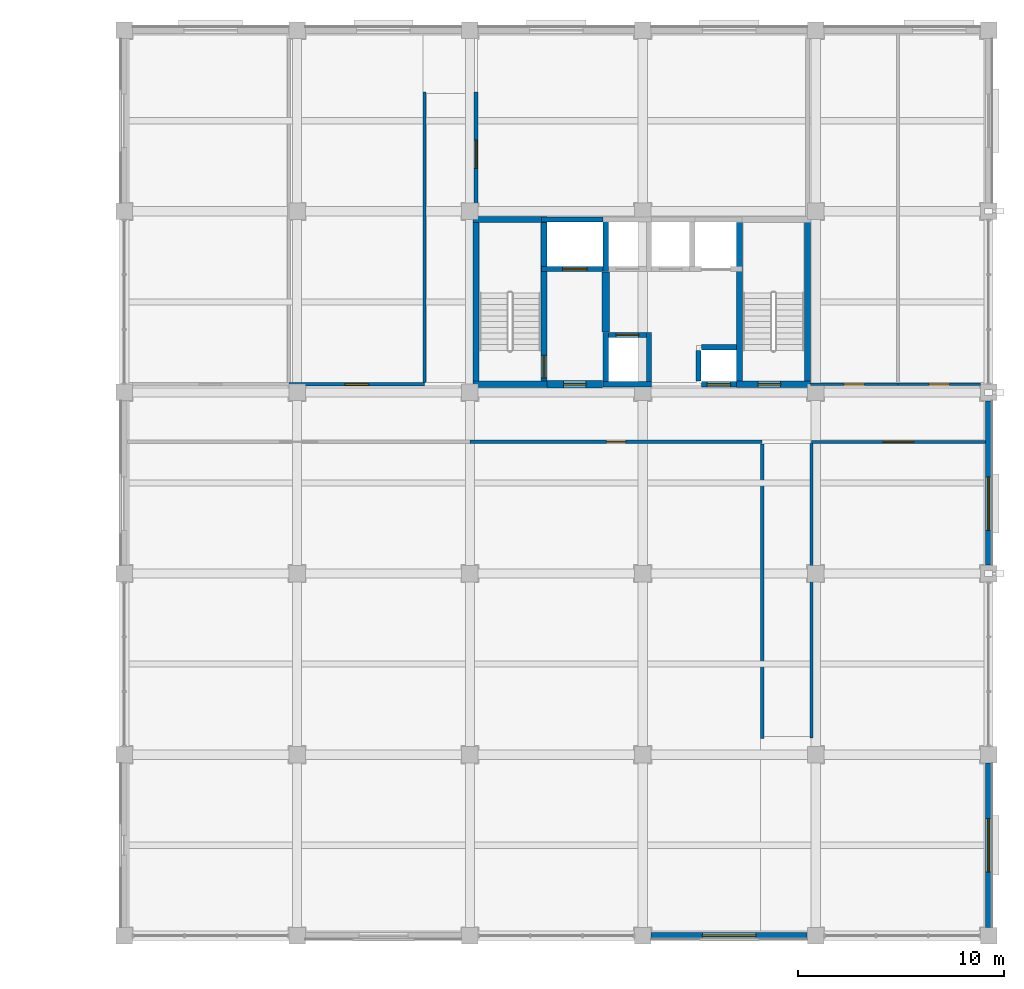
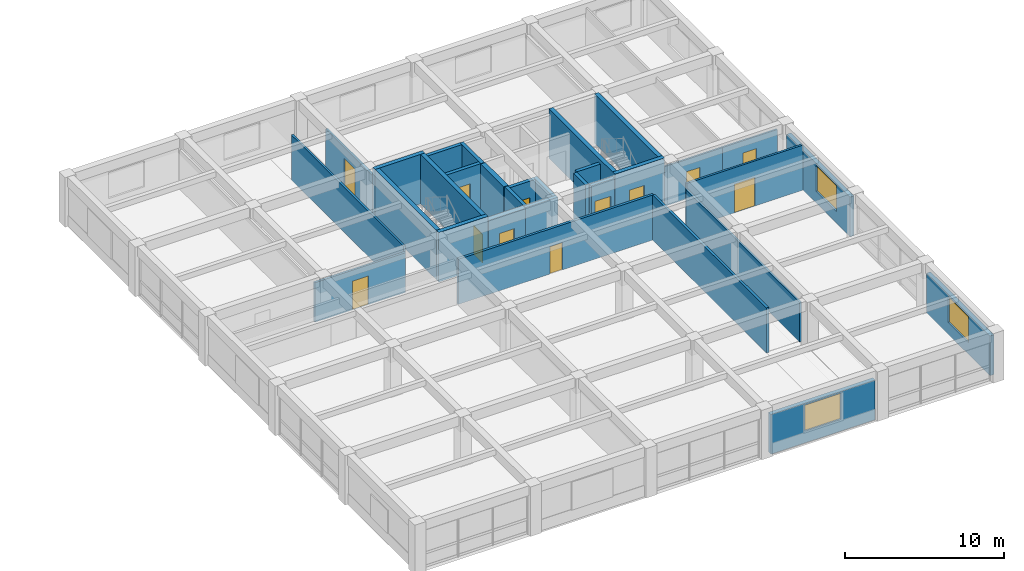
# One storey, part 11 of 16: 31 walls, 12 doors, 3 windows, 15 openings.
"""IFC4 building model written with IfcOpenShell, lengths in metres."""

from ifc_helpers import new_model, si_unit, direction, frame, frame_2d, origin, place, context, subcontext, project, spatial, rectangle, extrude, material, layer, layer_set, type_object, element, fill, save


model = new_model("IFC4")

# Units and contexts
model_context = context("Model", 3, precision=1e-05, world=origin(), true_north=direction((0.0, 1.0)))
body_context = subcontext(model_context, "Body", "Model", "MODEL_VIEW")
ifc_project = project(units=[si_unit("LENGTHUNIT", "METRE"), si_unit("AREAUNIT", "SQUARE_METRE"), si_unit("VOLUMEUNIT", "CUBIC_METRE"), si_unit("PLANEANGLEUNIT", "RADIAN"), si_unit("MASSUNIT", "GRAM", prefix="KILO")], contexts=[model_context])

# Site, building, storey
site_placement = place(None, origin())
site = spatial("IfcSite", under=ifc_project, at=site_placement, CompositionType="ELEMENT")
building_placement = place(site_placement, origin())
building = spatial("IfcBuilding", under=site, at=building_placement, Name="Kemercrest Conservatory and Botanical Centre", CompositionType="ELEMENT")
storey_placement = place(building_placement, frame((0.0, 0.0, 17.199951171875)))
storey = spatial("IfcBuildingStorey", under=building, at=storey_placement, Name="L04", CompositionType="ELEMENT", Elevation=17.199951171875)

# Wall
ifc_material_1 = material(Name="Concrete C50/60", Category="concrete")
ifc_layer_1 = layer(ifc_material_1, 0.35009765625)
ifc_layer_set_1 = layer_set([ifc_layer_1], Name="Concrete C50/60")
wall_type_1 = type_object("IfcWallType", Name="CW-CORE", PredefinedType="SHEAR", material=ifc_layer_set_1)
wall_1_placement = place(storey_placement, frame((157.39990234375, 107.75, 0.0), z_axis=(0.0, 0.0, 1.0), x_axis=(0.0, 1.0, 0.0)))
element("IfcWall", 1, at=wall_1_placement, inside=storey, type_object=wall_type_1, Name="Firefighting lift lobby 2-hour separation shear wall", PredefinedType="SHEAR", context=body_context, shape_type="SweptSolid", body=[
    extrude(rectangle(XDim=2.89990234375, YDim=0.35009765625, at=frame_2d((1.449951171875, 0.0))), origin(), (0.0, 0.0, 1.0), 3.47998046875),
])

# Wall, opening, door
wall_2_placement = place(storey_placement, frame((154.550048828125, 105.199951171875, 0.0), z_axis=(0.0, 0.0, 1.0), x_axis=(1.0, 0.0, 0.0)))
wall_2 = element("IfcWall", 2, at=wall_2_placement, inside=storey, type_object=wall_type_1, Name="Firefighting lift lobby south shear wall", PredefinedType="SHEAR", context=body_context, shape_type="SweptSolid", body=[
    extrude(rectangle(XDim=2.699951171875, YDim=0.35009765625, at=frame_2d((1.35009765625, 0.0))), origin(), (0.0, 0.0, 1.0), 3.47998046875),
])
opening_1_placement = place(wall_2_placement, frame((0.800048828125, 0.0, 0.0)))
opening_1 = element("IfcOpeningElement", 3, at=opening_1_placement, cuts=wall_2, Name="Opening D079", PredefinedType="OPENING", context=body_context, shape_type="SweptSolid", body=[
    extrude(rectangle(XDim=1.10009765625, YDim=2.199951171875, at=frame_2d((0.550048828125, 1.10009765625))), frame((0.0, 0.18505859375, 0.0), z_axis=(0.0, -1.0, 0.0), x_axis=(1.0, 0.0, 0.0)), (0.0, 0.0, 1.0), 0.3701171875),
])
ifc_material_2 = material(Name="Powder-coated galvanized steel and fire-rated vision glass", Category="steel")
door_type_1 = type_object("IfcDoorType", Name="DT-FD90", OperationType="NOTDEFINED", PredefinedType="DOOR", material=ifc_material_2)
door_1_placement = place(opening_1_placement, origin())
door_1 = element("IfcDoor", 4, at=door_1_placement, inside=storey, type_object=door_type_1, Name="Firefighting lift lobby corridor fire door D079", OperationType="SINGLE_SWING_LEFT", OverallHeight=2.199951171875, OverallWidth=1.10009765625, PredefinedType="DOOR", context=body_context, shape_type="SweptSolid", body=[
    extrude(rectangle(XDim=1.10009765625, YDim=2.199951171875, at=frame_2d((0.550048828125, 1.10009765625))), frame((0.0, 0.02490234375, 0.0), z_axis=(0.0, -1.0, 0.0), x_axis=(1.0, 0.0, 0.0)), (0.0, 0.0, 1.0), 0.050048828125),
])
fill(opening_1, door_1)

# Walls
ifc_layer_2 = layer(ifc_material_1, 0.300048828125)
ifc_layer_set_2 = layer_set([ifc_layer_2], Name="Concrete C50/60")
wall_type_2 = type_object("IfcWallType", Name="CW-STAIR", PredefinedType="SHEAR", material=ifc_layer_set_2)
for number, where, z_axis, x_axis, name in (
    (5, (150.949951171875, 105.199951171875, 0.0), (0.0, 0.0, 1.0), (1.0, 0.0, 0.0), "Stair core ST-V4A shear wall S"),
    (6, (150.949951171875, 113.199951171875, 0.0), (0.0, 0.0, 1.0), (1.0, 0.0, 0.0), "Stair core ST-V4A shear wall N"),
):
    element("IfcWall", number, at=place(storey_placement, frame(where, z_axis=z_axis, x_axis=x_axis)), inside=storey, type_object=wall_type_2, Name=name, PredefinedType="SHEAR", context=body_context, shape_type="SweptSolid", body=[
        extrude(rectangle(XDim=3.60009765625, YDim=0.300048828125, at=frame_2d((1.800048828125, 0.0))), origin(), (0.0, 0.0, 1.0), 3.800048828125),
    ])
wall_3_placement = place(storey_placement, frame((151.10009765625, 105.050048828125, 0.0), z_axis=(0.0, 0.0, 1.0), x_axis=(0.0, 1.0, 0.0)))
element("IfcWall", 7, at=wall_3_placement, inside=storey, type_object=wall_type_2, Name="Stair core ST-V4A shear wall W", PredefinedType="SHEAR", context=body_context, shape_type="SweptSolid", body=[
    extrude(rectangle(XDim=8.300048828125, YDim=0.300048828125, at=frame_2d((4.14990234375, 0.0))), origin(), (0.0, 0.0, 1.0), 3.800048828125),
])

# Wall, opening, door
wall_4_placement = place(storey_placement, frame((154.39990234375, 105.050048828125, 0.0), z_axis=(0.0, 0.0, 1.0), x_axis=(0.0, 1.0, 0.0)))
wall_4 = element("IfcWall", 8, at=wall_4_placement, inside=storey, type_object=wall_type_2, Name="Stair core ST-V4A shear wall E", PredefinedType="SHEAR", context=body_context, shape_type="SweptSolid", body=[
    extrude(rectangle(XDim=8.300048828125, YDim=0.300048828125, at=frame_2d((4.14990234375, 0.0))), origin(), (0.0, 0.0, 1.0), 3.800048828125),
])
opening_2_placement = place(wall_4_placement, frame((0.449951171875, 0.0, 0.0)))
opening_2 = element("IfcOpeningElement", 9, at=opening_2_placement, cuts=wall_4, Name="Opening D030", PredefinedType="OPENING", context=body_context, shape_type="SweptSolid", body=[
    extrude(rectangle(XDim=1.10009765625, YDim=2.199951171875, at=frame_2d((0.550048828125, 1.10009765625))), frame((0.0, 0.16015625, 0.0), z_axis=(0.0, -1.0, 0.0), x_axis=(1.0, 0.0, 0.0)), (0.0, 0.0, 1.0), 0.320068359375),
])
door_2_placement = place(opening_2_placement, frame((1.10009765625, 0.0, 0.0), z_axis=(0.0, 0.0, 1.0), x_axis=(-1.0, 0.0, 0.0)))
door_2 = element("IfcDoor", 10, at=door_2_placement, inside=storey, type_object=door_type_1, Name="Exit stair ST-V4A fire door D030", OperationType="SINGLE_SWING_RIGHT", OverallHeight=2.199951171875, OverallWidth=1.10009765625, PredefinedType="DOOR", context=body_context, shape_type="SweptSolid", body=[
    extrude(rectangle(XDim=1.10009765625, YDim=2.199951171875, at=frame_2d((0.550048828125, 1.10009765625))), frame((0.0, 0.02490234375, 0.0), z_axis=(0.0, -1.0, 0.0), x_axis=(1.0, 0.0, 0.0)), (0.0, 0.0, 1.0), 0.050048828125),
])
fill(opening_2, door_2)

wall_5_placement = place(storey_placement, frame((163.75, 105.199951171875, 0.0), z_axis=(0.0, 0.0, 1.0), x_axis=(1.0, 0.0, 0.0)))
wall_5 = element("IfcWall", 11, at=wall_5_placement, inside=storey, type_object=wall_type_2, Name="Stair core ST-V4B shear wall S", PredefinedType="SHEAR", context=body_context, shape_type="SweptSolid", body=[
    extrude(rectangle(XDim=3.60009765625, YDim=0.300048828125, at=frame_2d((1.800048828125, 0.0))), origin(), (0.0, 0.0, 1.0), 3.800048828125),
])
opening_3_placement = place(wall_5_placement, frame((1.050048828125, 0.0, 0.0)))
opening_3 = element("IfcOpeningElement", 12, at=opening_3_placement, cuts=wall_5, Name="Opening D049", PredefinedType="OPENING", context=body_context, shape_type="SweptSolid", body=[
    extrude(rectangle(XDim=1.10009765625, YDim=2.199951171875, at=frame_2d((0.550048828125, 1.10009765625))), frame((0.0, 0.16015625, 0.0), z_axis=(0.0, -1.0, 0.0), x_axis=(1.0, 0.0, 0.0)), (0.0, 0.0, 1.0), 0.320068359375),
])
door_3_placement = place(opening_3_placement, origin())
door_3 = element("IfcDoor", 13, at=door_3_placement, inside=storey, type_object=door_type_1, Name="Exit stair ST-V4B fire door D049", OperationType="SINGLE_SWING_LEFT", OverallHeight=2.199951171875, OverallWidth=1.10009765625, PredefinedType="DOOR", context=body_context, shape_type="SweptSolid", body=[
    extrude(rectangle(XDim=1.10009765625, YDim=2.199951171875, at=frame_2d((0.550048828125, 1.10009765625))), frame((0.0, 0.02490234375, 0.0), z_axis=(0.0, -1.0, 0.0), x_axis=(1.0, 0.0, 0.0)), (0.0, 0.0, 1.0), 0.050048828125),
])
fill(opening_3, door_3)

# Walls
for number, where, z_axis, x_axis, name in (
    (14, (163.89990234375, 105.050048828125, 0.0), (0.0, 0.0, 1.0), (0.0, 1.0, 0.0), "Stair core ST-V4B shear wall W"),
    (15, (167.199951171875, 105.050048828125, 0.0), (0.0, 0.0, 1.0), (0.0, 1.0, 0.0), "Stair core ST-V4B shear wall E"),
):
    element("IfcWall", number, at=place(storey_placement, frame(where, z_axis=z_axis, x_axis=x_axis)), inside=storey, type_object=wall_type_2, Name=name, PredefinedType="SHEAR", context=body_context, shape_type="SweptSolid", body=[
        extrude(rectangle(XDim=8.300048828125, YDim=0.300048828125, at=frame_2d((4.14990234375, 0.0))), origin(), (0.0, 0.0, 1.0), 3.800048828125),
    ])

# Wall, opening, window
ifc_material_3 = material(Name="Precast concrete C40/50", Category="concrete")
ifc_layer_3 = layer(ifc_material_3, 0.300048828125)
ifc_layer_set_3 = layer_set([ifc_layer_3], Name="Precast concrete C40/50")
wall_type_3 = type_object("IfcWallType", Name="W-EXT300", PredefinedType="SOLIDWALL", material=ifc_layer_set_3)
wall_6_placement = place(storey_placement, frame((159.610107421875, 78.39990234375, 0.0), z_axis=(0.0, 0.0, 1.0), x_axis=(1.0, 0.0, 0.0)))
wall_6 = element("IfcWall", 16, at=wall_6_placement, inside=storey, type_object=wall_type_3, Name="Exterior almasik wall W-EXT300 (WAL:L04:EXT-225)", PredefinedType="SOLIDWALL", context=body_context, shape_type="SweptSolid", body=[
    extrude(rectangle(XDim=7.579833984375, YDim=0.300048828125, at=frame_2d((3.7900390625, 0.0))), origin(), (0.0, 0.0, 1.0), 3.050048828125),
])
opening_4_placement = place(wall_6_placement, frame((2.489990234375, 0.0, 0.89990234375)))
opening_4 = element("IfcOpeningElement", 17, at=opening_4_placement, cuts=wall_6, Name="Opening WT-10", PredefinedType="OPENING", context=body_context, shape_type="SweptSolid", body=[
    extrude(rectangle(XDim=2.60009765625, YDim=2.0, at=frame_2d((1.300048828125, 1.0))), frame((0.0, 0.16015625, 0.0), z_axis=(0.0, -1.0, 0.0), x_axis=(1.0, 0.0, 0.0)), (0.0, 0.0, 1.0), 0.320068359375),
])
ifc_material_4 = material(Name="Thermally broken bronze-anodized aluminium and triple glazing", Category="aluminium")
window_type = type_object("IfcWindowType", Name="WT-10", PartitioningType="SINGLE_PANEL", PredefinedType="WINDOW", material=ifc_material_4)
window_1_placement = place(opening_4_placement, origin())
window_1 = element("IfcWindow", 18, at=window_1_placement, inside=storey, type_object=window_type, Name="Exterior window WT-10 (WIN:L04:EXT-225)", OverallHeight=2.0, OverallWidth=2.60009765625, PartitioningType="SINGLE_PANEL", PredefinedType="WINDOW", context=body_context, shape_type="SweptSolid", body=[
    extrude(rectangle(XDim=2.60009765625, YDim=2.0, at=frame_2d((1.300048828125, 1.0))), frame((0.0, 0.030029296875, 0.0), z_axis=(0.0, -1.0, 0.0), x_axis=(1.0, 0.0, 0.0)), (0.0, 0.0, 1.0), 0.06005859375),
])
fill(opening_4, window_1)

wall_7_placement = place(storey_placement, frame((176.0, 78.81005859375, 0.0), z_axis=(0.0, 0.0, 1.0), x_axis=(0.0, 1.0, 0.0)))
wall_7 = element("IfcWall", 19, at=wall_7_placement, inside=storey, type_object=wall_type_3, Name="Exterior almasik wall W-EXT300 (WAL:L04:EXT-226)", PredefinedType="SOLIDWALL", context=body_context, shape_type="SweptSolid", body=[
    extrude(rectangle(XDim=7.97998046875, YDim=0.300048828125, at=frame_2d((3.989990234375, 0.0))), origin(), (0.0, 0.0, 1.0), 3.050048828125),
])
opening_5_placement = place(wall_7_placement, frame((2.68994140625, 0.0, 0.89990234375)))
opening_5 = element("IfcOpeningElement", 20, at=opening_5_placement, cuts=wall_7, Name="Opening WT-10", PredefinedType="OPENING", context=body_context, shape_type="SweptSolid", body=[
    extrude(rectangle(XDim=2.60009765625, YDim=2.0, at=frame_2d((1.300048828125, 1.0))), frame((0.0, 0.16015625, 0.0), z_axis=(0.0, -1.0, 0.0), x_axis=(1.0, 0.0, 0.0)), (0.0, 0.0, 1.0), 0.320068359375),
])
window_2_placement = place(opening_5_placement, origin())
window_2 = element("IfcWindow", 21, at=window_2_placement, inside=storey, type_object=window_type, Name="Exterior window WT-10 (WIN:L04:EXT-226)", OverallHeight=2.0, OverallWidth=2.60009765625, PartitioningType="SINGLE_PANEL", PredefinedType="WINDOW", context=body_context, shape_type="SweptSolid", body=[
    extrude(rectangle(XDim=2.60009765625, YDim=2.0, at=frame_2d((1.300048828125, 1.0))), frame((0.0, 0.030029296875, 0.0), z_axis=(0.0, -1.0, 0.0), x_axis=(1.0, 0.0, 0.0)), (0.0, 0.0, 1.0), 0.06005859375),
])
fill(opening_5, window_2)

wall_8_placement = place(storey_placement, frame((176.0, 96.409912109375, 0.0), z_axis=(0.0, 0.0, 1.0), x_axis=(0.0, 1.0, 0.0)))
wall_8 = element("IfcWall", 22, at=wall_8_placement, inside=storey, type_object=wall_type_3, Name="Exterior almasik wall W-EXT300 (WAL:L04:EXT-227)", PredefinedType="SOLIDWALL", context=body_context, shape_type="SweptSolid", body=[
    extrude(rectangle(XDim=7.97998046875, YDim=0.300048828125, at=frame_2d((3.989990234375, 0.0))), origin(), (0.0, 0.0, 1.0), 3.050048828125),
])
opening_6_placement = place(wall_8_placement, frame((1.695068359375, 0.0, 0.89990234375)))
opening_6 = element("IfcOpeningElement", 23, at=opening_6_placement, cuts=wall_8, Name="Opening WT-10", PredefinedType="OPENING", context=body_context, shape_type="SweptSolid", body=[
    extrude(rectangle(XDim=2.60009765625, YDim=2.0, at=frame_2d((1.300048828125, 1.0))), frame((0.0, 0.16015625, 0.0), z_axis=(0.0, -1.0, 0.0), x_axis=(1.0, 0.0, 0.0)), (0.0, 0.0, 1.0), 0.320068359375),
])
window_3_placement = place(opening_6_placement, origin())
window_3 = element("IfcWindow", 24, at=window_3_placement, inside=storey, type_object=window_type, Name="Exterior window WT-10 (WIN:L04:EXT-227)", OverallHeight=2.0, OverallWidth=2.60009765625, PartitioningType="SINGLE_PANEL", PredefinedType="WINDOW", context=body_context, shape_type="SweptSolid", body=[
    extrude(rectangle(XDim=2.60009765625, YDim=2.0, at=frame_2d((1.300048828125, 1.0))), frame((0.0, 0.030029296875, 0.0), z_axis=(0.0, -1.0, 0.0), x_axis=(1.0, 0.0, 0.0)), (0.0, 0.0, 1.0), 0.06005859375),
])
fill(opening_6, window_3)

# Wall, opening, door
ifc_material_5 = material(Name="Moisture-resistant gypsum board partition", Category="gypsum")
ifc_layer_4 = layer(ifc_material_5, 0.125)
ifc_layer_set_4 = layer_set([ifc_layer_4], Name="Moisture-resistant gypsum board partition")
wall_type_4 = type_object("IfcWallType", Name="W-PART125", PredefinedType="PARTITIONING", material=ifc_layer_set_4)
wall_9_placement = place(storey_placement, frame((167.35498046875, 105.199951171875, 0.0), z_axis=(0.0, 0.0, 1.0), x_axis=(1.0, 0.0, 0.0)))
wall_9 = element("IfcWall", 25, at=wall_9_placement, inside=storey, type_object=wall_type_4, Name="Interior partition W-PART125 #165", PredefinedType="PARTITIONING", context=body_context, shape_type="SweptSolid", body=[
    extrude(rectangle(XDim=4.2451171875, YDim=0.125, at=frame_2d((2.12255859375, 0.0))), origin(), (0.0, 0.0, 1.0), 3.045166015625),
])
opening_7_placement = place(wall_9_placement, frame((1.632568359375, 0.0, 0.0)))
opening_7 = element("IfcOpeningElement", 26, at=opening_7_placement, cuts=wall_9, Name="Opening D202", PredefinedType="OPENING", context=body_context, shape_type="SweptSolid", body=[
    extrude(rectangle(XDim=0.97998046875, YDim=2.10009765625, at=frame_2d((0.489990234375, 1.050048828125))), frame((0.0, 0.072509765625, 0.0), z_axis=(0.0, -1.0, 0.0), x_axis=(1.0, 0.0, 0.0)), (0.0, 0.0, 1.0), 0.14501953125),
])
ifc_material_6 = material(Name="FSC solid-core white oak veneer and anodized aluminium frame", Category="aluminium")
door_type_2 = type_object("IfcDoorType", Name="DT-02", OperationType="NOTDEFINED", PredefinedType="DOOR", material=ifc_material_6)
door_4_placement = place(opening_7_placement, origin())
door_4 = element("IfcDoor", 27, at=door_4_placement, inside=storey, type_object=door_type_2, Name="Staff Washroom door D202", OperationType="SINGLE_SWING_RIGHT", OverallHeight=2.10009765625, OverallWidth=0.97998046875, PredefinedType="DOOR", context=body_context, shape_type="SweptSolid", body=[
    extrude(rectangle(XDim=0.97998046875, YDim=2.10009765625, at=frame_2d((0.489990234375, 1.050048828125))), frame((0.0, 0.02490234375, 0.0), z_axis=(0.0, -1.0, 0.0), x_axis=(1.0, 0.0, 0.0)), (0.0, 0.0, 1.0), 0.050048828125),
])
fill(opening_7, door_4)

wall_10_placement = place(storey_placement, frame((171.60009765625, 105.199951171875, 0.0), z_axis=(0.0, 0.0, 1.0), x_axis=(1.0, 0.0, 0.0)))
wall_10 = element("IfcWall", 28, at=wall_10_placement, inside=storey, type_object=wall_type_4, Name="Interior partition W-PART125 #166", PredefinedType="PARTITIONING", context=body_context, shape_type="SweptSolid", body=[
    extrude(rectangle(XDim=4.0, YDim=0.125, at=frame_2d((2.0, 0.0))), origin(), (0.0, 0.0, 1.0), 3.045166015625),
])
opening_8_placement = place(wall_10_placement, frame((1.510009765625, 0.0, 0.0)))
opening_8 = element("IfcOpeningElement", 29, at=opening_8_placement, cuts=wall_10, Name="Opening D203", PredefinedType="OPENING", context=body_context, shape_type="SweptSolid", body=[
    extrude(rectangle(XDim=0.97998046875, YDim=2.10009765625, at=frame_2d((0.489990234375, 1.050048828125))), frame((0.0, 0.072509765625, 0.0), z_axis=(0.0, -1.0, 0.0), x_axis=(1.0, 0.0, 0.0)), (0.0, 0.0, 1.0), 0.14501953125),
])
door_5_placement = place(opening_8_placement, origin())
door_5 = element("IfcDoor", 30, at=door_5_placement, inside=storey, type_object=door_type_2, Name="Accessible Washroom door D203", OperationType="SINGLE_SWING_LEFT", OverallHeight=2.10009765625, OverallWidth=0.97998046875, PredefinedType="DOOR", context=body_context, shape_type="SweptSolid", body=[
    extrude(rectangle(XDim=0.97998046875, YDim=2.10009765625, at=frame_2d((0.489990234375, 1.050048828125))), frame((0.0, 0.02490234375, 0.0), z_axis=(0.0, -1.0, 0.0), x_axis=(1.0, 0.0, 0.0)), (0.0, 0.0, 1.0), 0.050048828125),
])
fill(opening_8, door_5)

ifc_material_7 = material(Name="Steel-stud gypsum board partition", Category="steel")
ifc_layer_5 = layer(ifc_material_7, 0.14990234375)
ifc_layer_set_5 = layer_set([ifc_layer_5], Name="Steel-stud gypsum board partition")
wall_type_5 = type_object("IfcWallType", Name="W-PART150", PredefinedType="PARTITIONING", material=ifc_layer_set_5)
wall_11_placement = place(storey_placement, frame((167.39990234375, 102.39990234375, 0.0), z_axis=(0.0, 0.0, 1.0), x_axis=(1.0, 0.0, 0.0)))
wall_11 = element("IfcWall", 31, at=wall_11_placement, inside=storey, type_object=wall_type_5, Name="Interior partition W-PART150 #162", PredefinedType="PARTITIONING", context=body_context, shape_type="SweptSolid", body=[
    extrude(rectangle(XDim=8.445068359375, YDim=0.14990234375, at=frame_2d((4.22265625, 0.0))), origin(), (0.0, 0.0, 1.0), 3.465087890625),
])
opening_9_placement = place(wall_11_placement, frame((3.482421875, 0.0, 0.0)))
opening_9 = element("IfcOpeningElement", 32, at=opening_9_placement, cuts=wall_11, Name="Opening D199", PredefinedType="OPENING", context=body_context, shape_type="SweptSolid", body=[
    extrude(rectangle(XDim=1.47998046875, YDim=2.199951171875, at=frame_2d((0.739990234375, 1.10009765625))), frame((0.0, 0.0849609375, 0.0), z_axis=(0.0, -1.0, 0.0), x_axis=(1.0, 0.0, 0.0)), (0.0, 0.0, 1.0), 0.169921875),
])
door_type_3 = type_object("IfcDoorType", Name="DT-09", OperationType="DOUBLE_DOOR_SINGLE_SWING", PredefinedType="DOOR", material=ifc_material_6)
door_6_placement = place(opening_9_placement, origin())
door_6 = element("IfcDoor", 33, at=door_6_placement, inside=storey, type_object=door_type_3, Name="Botanical Seminar Room door D199", OperationType="DOUBLE_DOOR_SINGLE_SWING", OverallHeight=2.199951171875, OverallWidth=1.47998046875, PredefinedType="DOOR", context=body_context, shape_type="SweptSolid", body=[
    extrude(rectangle(XDim=1.47998046875, YDim=2.199951171875, at=frame_2d((0.739990234375, 1.10009765625))), frame((0.0, 0.02490234375, 0.0), z_axis=(0.0, -1.0, 0.0), x_axis=(1.0, 0.0, 0.0)), (0.0, 0.0, 1.0), 0.050048828125),
])
fill(opening_9, door_6)

wall_12_placement = place(storey_placement, frame((142.0, 105.199951171875, 0.0), z_axis=(0.0, 0.0, 1.0), x_axis=(1.0, 0.0, 0.0)))
wall_12 = element("IfcWall", 34, at=wall_12_placement, inside=storey, type_object=wall_type_5, Name="Interior partition W-PART150 #164", PredefinedType="PARTITIONING", context=body_context, shape_type="SweptSolid", body=[
    extrude(rectangle(XDim=6.60009765625, YDim=0.14990234375, at=frame_2d((3.300048828125, 0.0))), origin(), (0.0, 0.0, 1.0), 3.045166015625),
])
opening_10_placement = place(wall_12_placement, frame((2.719970703125, 0.0, 0.0)))
opening_10 = element("IfcOpeningElement", 35, at=opening_10_placement, cuts=wall_12, Name="Opening D201", PredefinedType="OPENING", context=body_context, shape_type="SweptSolid", body=[
    extrude(rectangle(XDim=1.159912109375, YDim=2.199951171875, at=frame_2d((0.580078125, 1.10009765625))), frame((0.0, 0.0849609375, 0.0), z_axis=(0.0, -1.0, 0.0), x_axis=(1.0, 0.0, 0.0)), (0.0, 0.0, 1.0), 0.169921875),
])
door_type_4 = type_object("IfcDoorType", Name="DT-05", OperationType="NOTDEFINED", PredefinedType="DOOR", material=ifc_material_6)
door_7_placement = place(opening_10_placement, origin())
door_7 = element("IfcDoor", 36, at=door_7_placement, inside=storey, type_object=door_type_4, Name="Dry Botany Studio door D201", OperationType="SINGLE_SWING_LEFT", OverallHeight=2.199951171875, OverallWidth=1.159912109375, PredefinedType="DOOR", context=body_context, shape_type="SweptSolid", body=[
    extrude(rectangle(XDim=1.159912109375, YDim=2.199951171875, at=frame_2d((0.580078125, 1.10009765625))), frame((0.0, 0.02490234375, 0.0), z_axis=(0.0, -1.0, 0.0), x_axis=(1.0, 0.0, 0.0)), (0.0, 0.0, 1.0), 0.050048828125),
])
fill(opening_10, door_7)

# Walls
wall_13_placement = place(storey_placement, frame((167.39990234375, 88.0, 0.0), z_axis=(0.0, 0.0, 1.0), x_axis=(0.0, 1.0, 0.0)))
element("IfcWall", 37, at=wall_13_placement, inside=storey, type_object=wall_type_5, Name="Interior partition W-PART150 #168", PredefinedType="PARTITIONING", context=body_context, shape_type="SweptSolid", body=[
    extrude(rectangle(XDim=14.320068359375, YDim=0.14990234375, at=frame_2d((7.16015625, 0.0))), origin(), (0.0, 0.0, 1.0), 3.045166015625),
])
wall_14_placement = place(storey_placement, frame((148.60009765625, 105.280029296875, 0.0), z_axis=(0.0, 0.0, 1.0), x_axis=(0.0, 1.0, 0.0)))
element("IfcWall", 38, at=wall_14_placement, inside=storey, type_object=wall_type_5, Name="Interior partition W-PART150 #169", PredefinedType="PARTITIONING", context=body_context, shape_type="SweptSolid", body=[
    extrude(rectangle(XDim=14.119873046875, YDim=0.14990234375, at=frame_2d((7.06005859375, 0.0))), origin(), (0.0, 0.0, 1.0), 3.465087890625),
])

# Wall, opening, door
ifc_material_8 = material(Name="Acoustic steel-stud gypsum board assembly", Category="steel")
ifc_layer_6 = layer(ifc_material_8, 0.179931640625)
ifc_layer_set_6 = layer_set([ifc_layer_6], Name="Acoustic steel-stud gypsum board assembly")
wall_type_6 = type_object("IfcWallType", Name="W-PART180", PredefinedType="PARTITIONING", material=ifc_layer_set_6)
wall_15_placement = place(storey_placement, frame((150.800048828125, 102.39990234375, 0.0), z_axis=(0.0, 0.0, 1.0), x_axis=(1.0, 0.0, 0.0)))
wall_15 = element("IfcWall", 39, at=wall_15_placement, inside=storey, type_object=wall_type_6, Name="Interior partition W-PART180 #161", PredefinedType="PARTITIONING", context=body_context, shape_type="SweptSolid", body=[
    extrude(rectangle(XDim=14.199951171875, YDim=0.179931640625, at=frame_2d((7.10009765625, 0.0))), origin(), (0.0, 0.0, 1.0), 3.465087890625),
])
opening_11_placement = place(wall_15_placement, frame((6.639892578125, 0.0, 0.0)))
opening_11 = element("IfcOpeningElement", 40, at=opening_11_placement, cuts=wall_15, Name="Opening D198", PredefinedType="OPENING", context=body_context, shape_type="SweptSolid", body=[
    extrude(rectangle(XDim=0.919921875, YDim=2.10009765625, at=frame_2d((0.4599609375, 1.050048828125))), frame((0.0, 0.10009765625, 0.0), z_axis=(0.0, -1.0, 0.0), x_axis=(1.0, 0.0, 0.0)), (0.0, 0.0, 1.0), 0.199951171875),
])
door_type_5 = type_object("IfcDoorType", Name="DT-01", OperationType="NOTDEFINED", PredefinedType="DOOR", material=ifc_material_6)
door_8_placement = place(opening_11_placement, origin())
door_8 = element("IfcDoor", 41, at=door_8_placement, inside=storey, type_object=door_type_5, Name="Chromatography Instrument Laboratory door D198", OperationType="SINGLE_SWING_RIGHT", OverallHeight=2.10009765625, OverallWidth=0.919921875, PredefinedType="DOOR", context=body_context, shape_type="SweptSolid", body=[
    extrude(rectangle(XDim=0.919921875, YDim=2.10009765625, at=frame_2d((0.4599609375, 1.050048828125))), frame((0.0, 0.02490234375, 0.0), z_axis=(0.0, -1.0, 0.0), x_axis=(1.0, 0.0, 0.0)), (0.0, 0.0, 1.0), 0.050048828125),
])
fill(opening_11, door_8)

# Wall
wall_16_placement = place(storey_placement, frame((165.0, 88.0, 0.0), z_axis=(0.0, 0.0, 1.0), x_axis=(0.0, 1.0, 0.0)))
element("IfcWall", 42, at=wall_16_placement, inside=storey, type_object=wall_type_6, Name="Interior partition W-PART180 #167", PredefinedType="PARTITIONING", context=body_context, shape_type="SweptSolid", body=[
    extrude(rectangle(XDim=14.304931640625, YDim=0.179931640625, at=frame_2d((7.15234375, 0.0))), origin(), (0.0, 0.0, 1.0), 3.465087890625),
])

# Wall, opening, door
wall_17_placement = place(storey_placement, frame((151.10009765625, 113.35498046875, 0.0), z_axis=(0.0, 0.0, 1.0), x_axis=(0.0, 1.0, 0.0)))
wall_17 = element("IfcWall", 43, at=wall_17_placement, inside=storey, type_object=wall_type_6, Name="Interior partition W-PART180 #170", PredefinedType="PARTITIONING", context=body_context, shape_type="SweptSolid", body=[
    extrude(rectangle(XDim=6.044921875, YDim=0.179931640625, at=frame_2d((3.0224609375, 0.0))), origin(), (0.0, 0.0, 1.0), 3.045166015625),
])
opening_12_placement = place(wall_17_placement, frame((2.33251953125, 0.0, 0.0)))
opening_12 = element("IfcOpeningElement", 44, at=opening_12_placement, cuts=wall_17, Name="Opening D204", PredefinedType="OPENING", context=body_context, shape_type="SweptSolid", body=[
    extrude(rectangle(XDim=1.3798828125, YDim=2.199951171875, at=frame_2d((0.68994140625, 1.10009765625))), frame((0.0, 0.10009765625, 0.0), z_axis=(0.0, -1.0, 0.0), x_axis=(1.0, 0.0, 0.0)), (0.0, 0.0, 1.0), 0.199951171875),
])
door_type_6 = type_object("IfcDoorType", Name="DT-08", OperationType="DOUBLE_DOOR_SINGLE_SWING", PredefinedType="DOOR", material=ifc_material_6)
door_9_placement = place(opening_12_placement, origin())
door_9 = element("IfcDoor", 45, at=door_9_placement, inside=storey, type_object=door_type_6, Name="Autoclave and Media Laboratory door D204", OperationType="DOUBLE_DOOR_SINGLE_SWING", OverallHeight=2.199951171875, OverallWidth=1.3798828125, PredefinedType="DOOR", context=body_context, shape_type="SweptSolid", body=[
    extrude(rectangle(XDim=1.3798828125, YDim=2.199951171875, at=frame_2d((0.68994140625, 1.10009765625))), frame((0.0, 0.02490234375, 0.0), z_axis=(0.0, -1.0, 0.0), x_axis=(1.0, 0.0, 0.0)), (0.0, 0.0, 1.0), 0.050048828125),
])
fill(opening_12, door_9)

ifc_material_9 = material(Name="Concrete C40/50", Category="concrete")
ifc_layer_7 = layer(ifc_material_9, 0.25)
ifc_layer_set_7 = layer_set([ifc_layer_7], Name="Concrete C40/50")
wall_type_7 = type_object("IfcWallType", Name="W-SHFT250", PredefinedType="SOLIDWALL", material=ifc_layer_set_7)
wall_18_placement = place(storey_placement, frame((154.27490234375, 110.800048828125, 0.0), z_axis=(0.0, 0.0, 1.0), x_axis=(1.0, 0.0, 0.0)))
wall_18 = element("IfcWall", 46, at=wall_18_placement, inside=storey, type_object=wall_type_7, Name="Elevator LF-FF1 shaft wall south", PredefinedType="SOLIDWALL", context=body_context, shape_type="SweptSolid", body=[
    extrude(rectangle(XDim=3.25, YDim=0.25, at=frame_2d((1.625, 0.0))), origin(), (0.0, 0.0, 1.0), 3.47998046875),
])
opening_13_placement = place(wall_18_placement, frame((1.02490234375, 0.0, 0.0)))
opening_13 = element("IfcOpeningElement", 47, at=opening_13_placement, cuts=wall_18, Name="Opening LD-006", PredefinedType="OPENING", context=body_context, shape_type="SweptSolid", body=[
    extrude(rectangle(XDim=1.199951171875, YDim=2.199951171875, at=frame_2d((0.60009765625, 1.10009765625))), frame((0.0, 0.135009765625, 0.0), z_axis=(0.0, -1.0, 0.0), x_axis=(1.0, 0.0, 0.0)), (0.0, 0.0, 1.0), 0.27001953125),
])
door_type_7 = type_object("IfcDoorType", Name="DT-LD02", OperationType="SLIDING_TO_LEFT", PredefinedType="DOOR", material=ifc_material_2)
door_10_placement = place(opening_13_placement, origin())
door_10 = element("IfcDoor", 48, at=door_10_placement, inside=storey, type_object=door_type_7, Name="Elevator LF-FF1 sliding landing door LD-006", OperationType="SLIDING_TO_LEFT", OverallHeight=2.199951171875, OverallWidth=1.199951171875, PredefinedType="DOOR", context=body_context, shape_type="SweptSolid", body=[
    extrude(rectangle(XDim=1.199951171875, YDim=2.199951171875, at=frame_2d((0.60009765625, 1.10009765625))), frame((0.0, 0.02490234375, 0.0), z_axis=(0.0, -1.0, 0.0), x_axis=(1.0, 0.0, 0.0)), (0.0, 0.0, 1.0), 0.050048828125),
])
fill(opening_13, door_10)

# Walls
wall_19_placement = place(storey_placement, frame((154.27490234375, 113.199951171875, 0.0), z_axis=(0.0, 0.0, 1.0), x_axis=(1.0, 0.0, 0.0)))
element("IfcWall", 49, at=wall_19_placement, inside=storey, type_object=wall_type_7, Name="Elevator LF-FF1 shaft wall north", PredefinedType="SOLIDWALL", context=body_context, shape_type="SweptSolid", body=[
    extrude(rectangle(XDim=3.25, YDim=0.25, at=frame_2d((1.625, 0.0))), origin(), (0.0, 0.0, 1.0), 3.47998046875),
])
wall_20_placement = place(storey_placement, frame((157.39990234375, 110.675048828125, 0.0), z_axis=(0.0, 0.0, 1.0), x_axis=(0.0, 1.0, 0.0)))
element("IfcWall", 50, at=wall_20_placement, inside=storey, type_object=wall_type_7, Name="Elevator LF-FF1 shaft wall east", PredefinedType="SOLIDWALL", context=body_context, shape_type="SweptSolid", body=[
    extrude(rectangle(XDim=2.64990234375, YDim=0.25, at=frame_2d((1.324951171875, 0.0))), origin(), (0.0, 0.0, 1.0), 3.47998046875),
])
wall_21_placement = place(storey_placement, frame((157.27490234375, 105.199951171875, 0.0), z_axis=(0.0, 0.0, 1.0), x_axis=(1.0, 0.0, 0.0)))
element("IfcWall", 51, at=wall_21_placement, inside=storey, type_object=wall_type_7, Name="Elevator LF-P3 shaft wall south", PredefinedType="SOLIDWALL", context=body_context, shape_type="SweptSolid", body=[
    extrude(rectangle(XDim=2.35009765625, YDim=0.25, at=frame_2d((1.175048828125, 0.0))), origin(), (0.0, 0.0, 1.0), 3.47998046875),
])

# Wall, opening, door
wall_22_placement = place(storey_placement, frame((157.27490234375, 107.60009765625, 0.0), z_axis=(0.0, 0.0, 1.0), x_axis=(1.0, 0.0, 0.0)))
wall_22 = element("IfcWall", 52, at=wall_22_placement, inside=storey, type_object=wall_type_7, Name="Elevator LF-P3 shaft wall north", PredefinedType="SOLIDWALL", context=body_context, shape_type="SweptSolid", body=[
    extrude(rectangle(XDim=2.35009765625, YDim=0.25, at=frame_2d((1.175048828125, 0.0))), origin(), (0.0, 0.0, 1.0), 3.47998046875),
])
opening_14_placement = place(wall_22_placement, frame((0.625, 0.0, 0.0)))
opening_14 = element("IfcOpeningElement", 53, at=opening_14_placement, cuts=wall_22, Name="Opening LD-062", PredefinedType="OPENING", context=body_context, shape_type="SweptSolid", body=[
    extrude(rectangle(XDim=1.10009765625, YDim=2.199951171875, at=frame_2d((0.550048828125, 1.10009765625))), frame((0.0, 0.135009765625, 0.0), z_axis=(0.0, -1.0, 0.0), x_axis=(1.0, 0.0, 0.0)), (0.0, 0.0, 1.0), 0.27001953125),
])
door_type_8 = type_object("IfcDoorType", Name="DT-LD01", OperationType="SLIDING_TO_LEFT", PredefinedType="DOOR", material=ifc_material_2)
door_11_placement = place(opening_14_placement, origin())
door_11 = element("IfcDoor", 54, at=door_11_placement, inside=storey, type_object=door_type_8, Name="Elevator LF-P3 sliding landing door LD-062", OperationType="SLIDING_TO_LEFT", OverallHeight=2.199951171875, OverallWidth=1.10009765625, PredefinedType="DOOR", context=body_context, shape_type="SweptSolid", body=[
    extrude(rectangle(XDim=1.10009765625, YDim=2.199951171875, at=frame_2d((0.550048828125, 1.10009765625))), frame((0.0, 0.02490234375, 0.0), z_axis=(0.0, -1.0, 0.0), x_axis=(1.0, 0.0, 0.0)), (0.0, 0.0, 1.0), 0.050048828125),
])
fill(opening_14, door_11)

# Walls
for number, where, z_axis, x_axis, name in (
    (55, (157.39990234375, 105.074951171875, 0.0), (0.0, 0.0, 1.0), (0.0, 1.0, 0.0), "Elevator LF-P3 shaft wall west"),
    (56, (159.5, 105.074951171875, 0.0), (0.0, 0.0, 1.0), (0.0, 1.0, 0.0), "Elevator LF-P3 shaft wall east"),
):
    element("IfcWall", number, at=place(storey_placement, frame(where, z_axis=z_axis, x_axis=x_axis)), inside=storey, type_object=wall_type_7, Name=name, PredefinedType="SOLIDWALL", context=body_context, shape_type="SweptSolid", body=[
        extrude(rectangle(XDim=2.650146484375, YDim=0.25, at=frame_2d((1.3251953125, 0.0))), origin(), (0.0, 0.0, 1.0), 3.47998046875),
    ])
wall_23_placement = place(storey_placement, frame((161.89990234375, 105.35009765625, 0.0), z_axis=(0.0, 0.0, 1.0), x_axis=(0.0, 1.0, 0.0)))
element("IfcWall", 57, at=wall_23_placement, inside=storey, type_object=wall_type_7, Name="Core service riser shaft wall W", PredefinedType="SOLIDWALL", context=body_context, shape_type="SweptSolid", body=[
    extrude(rectangle(XDim=1.5, YDim=0.25, at=frame_2d((0.75, 0.0))), origin(), (0.0, 0.0, 1.0), 3.47998046875),
])
wall_24_placement = place(storey_placement, frame((162.050048828125, 107.0, 0.0), z_axis=(0.0, 0.0, 1.0), x_axis=(1.0, 0.0, 0.0)))
element("IfcWall", 58, at=wall_24_placement, inside=storey, type_object=wall_type_7, Name="Core service riser shaft wall N", PredefinedType="SOLIDWALL", context=body_context, shape_type="SweptSolid", body=[
    extrude(rectangle(XDim=1.699951171875, YDim=0.25, at=frame_2d((0.85009765625, 0.0))), origin(), (0.0, 0.0, 1.0), 3.47998046875),
])

# Wall, opening, door
wall_25_placement = place(storey_placement, frame((162.050048828125, 105.199951171875, 0.0), z_axis=(0.0, 0.0, 1.0), x_axis=(1.0, 0.0, 0.0)))
wall_25 = element("IfcWall", 59, at=wall_25_placement, inside=storey, type_object=wall_type_7, Name="Core service riser shaft wall S", PredefinedType="SOLIDWALL", context=body_context, shape_type="SweptSolid", body=[
    extrude(rectangle(XDim=1.699951171875, YDim=0.25, at=frame_2d((0.85009765625, 0.0))), origin(), (0.0, 0.0, 1.0), 3.47998046875),
])
opening_15_placement = place(wall_25_placement, frame((0.27001953125, 0.0, 0.0)))
opening_15 = element("IfcOpeningElement", 60, at=opening_15_placement, cuts=wall_25, Name="Opening D080", PredefinedType="OPENING", context=body_context, shape_type="SweptSolid", body=[
    extrude(rectangle(XDim=1.14990234375, YDim=2.199951171875, at=frame_2d((0.574951171875, 1.10009765625))), frame((0.0, 0.135009765625, 0.0), z_axis=(0.0, -1.0, 0.0), x_axis=(1.0, 0.0, 0.0)), (0.0, 0.0, 1.0), 0.27001953125),
])
door_type_9 = type_object("IfcDoorType", Name="DT-FD60", OperationType="NOTDEFINED", PredefinedType="DOOR", material=ifc_material_2)
door_12_placement = place(opening_15_placement, origin())
door_12 = element("IfcDoor", 61, at=door_12_placement, inside=storey, type_object=door_type_9, Name="Service riser access fire door D080", OperationType="SINGLE_SWING_RIGHT", OverallHeight=2.199951171875, OverallWidth=1.14990234375, PredefinedType="DOOR", context=body_context, shape_type="SweptSolid", body=[
    extrude(rectangle(XDim=1.14990234375, YDim=2.199951171875, at=frame_2d((0.574951171875, 1.10009765625))), frame((0.0, 0.02490234375, 0.0), z_axis=(0.0, -1.0, 0.0), x_axis=(1.0, 0.0, 0.0)), (0.0, 0.0, 1.0), 0.050048828125),
])
fill(opening_15, door_12)

save(model, "model.ifc")
